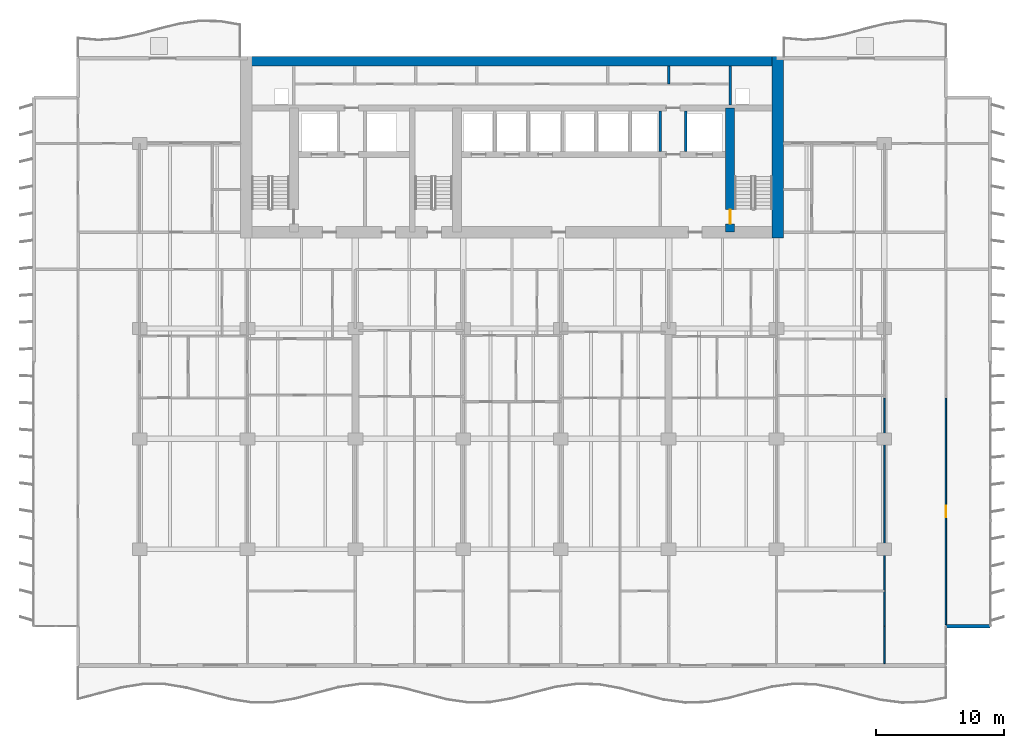
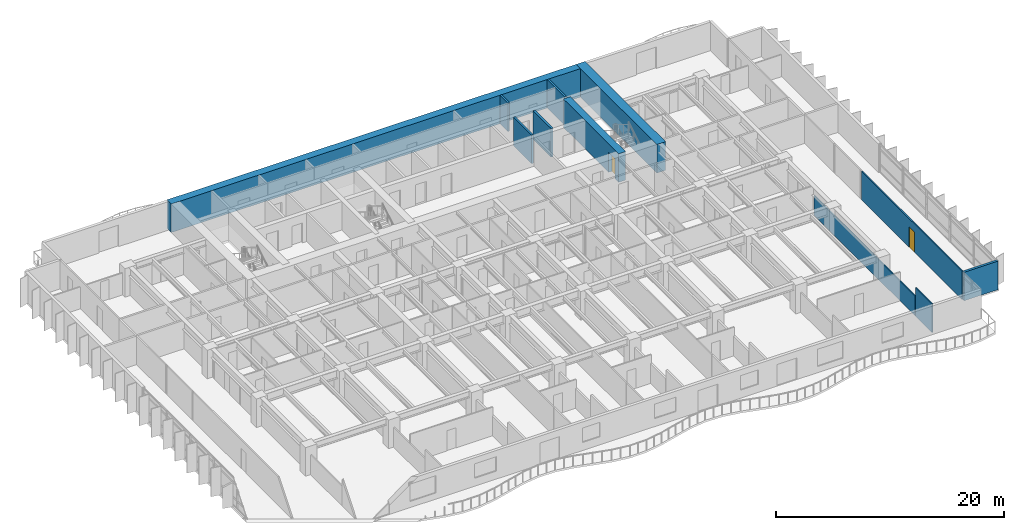
# One storey, part 12 of 18: 11 walls, 2 doors, 2 openings.
"""IFC4 building model written with IfcOpenShell, lengths in metres."""

from ifc_helpers import new_model, si_unit, direction, frame, frame_2d, origin, place, context, subcontext, project, spatial, rectangle, extrude, material, layer, layer_set, type_object, element, fill, save


model = new_model("IFC4")

# Units and contexts
model_context = context("Model", 3, precision=1e-05, world=origin(), true_north=direction((0.0, 1.0)))
body_context = subcontext(model_context, "Body", "Model", "MODEL_VIEW")
ifc_project = project(units=[si_unit("LENGTHUNIT", "METRE"), si_unit("AREAUNIT", "SQUARE_METRE"), si_unit("VOLUMEUNIT", "CUBIC_METRE"), si_unit("PLANEANGLEUNIT", "RADIAN"), si_unit("MASSUNIT", "GRAM", prefix="KILO")], contexts=[model_context])

# Site, building, storey
site_placement = place(None, origin())
site = spatial("IfcSite", under=ifc_project, at=site_placement, CompositionType="ELEMENT")
building_placement = place(site_placement, origin())
building = spatial("IfcBuilding", under=site, at=building_placement, Name="Caelmar Bay Residences", CompositionType="ELEMENT")
storey_placement = place(building_placement, frame((0.0, 0.0, 43.199951171875)))
storey = spatial("IfcBuildingStorey", under=building, at=storey_placement, Name="L10", CompositionType="ELEMENT", Elevation=43.199951171875)

# Wall, opening, door
ifc_material_1 = material(Name="Concrete f'c 55 MPa (8,000 psi)", Category="concrete")
ifc_layer_1 = layer(ifc_material_1, 0.699951171875)
ifc_layer_set_1 = layer_set([ifc_layer_1], Name="Concrete f'c 55 MPa (8,000 psi)")
wall_type_1 = type_object("IfcWallType", Name="SW-COR-700", PredefinedType="SHEAR", material=ifc_layer_set_1)
wall_1_placement = place(storey_placement, frame((55.89990234375, 36.89990234375, 0.0), z_axis=(0.0, 0.0, 1.0), x_axis=(0.0, 1.0, 0.0)))
wall_1 = element("IfcWall", 1, at=wall_1_placement, inside=storey, type_object=wall_type_1, Name="L10 Core Structural Web Wall ST2W", PredefinedType="SHEAR", context=body_context, shape_type="SweptSolid", body=[
    extrude(rectangle(XDim=9.675048828125, YDim=0.699951171875, at=frame_2d((4.83740234375, 0.0))), origin(), (0.0, 0.0, 1.0), 3.050048828125),
])
opening_1_placement = place(wall_1_placement, frame((0.64990234375, 0.0, 0.0)))
opening_1 = element("IfcOpeningElement", 2, at=opening_1_placement, cuts=wall_1, Name="Opening D-L10-111", PredefinedType="OPENING", context=body_context, shape_type="SweptSolid", body=[
    extrude(rectangle(XDim=1.10009765625, YDim=2.14990234375, at=frame_2d((0.550048828125, 1.074951171875))), frame((0.0, 0.35986328125, 0.0), z_axis=(0.0, -1.0, 0.0), x_axis=(1.0, 0.0, 0.0)), (0.0, 0.0, 1.0), 0.719970703125),
])
ifc_material_2 = material(Name="Fire-rated steel and walnut architectural door assembly", Category="steel")
ifc_layer_2 = layer(ifc_material_2, 0.050048828125)
ifc_layer_set_2 = layer_set([ifc_layer_2], Name="Fire-rated steel and walnut architectural door assembly")
door_type_1 = type_object("IfcDoorType", Name="D-STAIR-1100", OperationType="NOTDEFINED", PredefinedType="DOOR", material=ifc_layer_set_2)
door_1_placement = place(opening_1_placement, origin())
door_1 = element("IfcDoor", 3, at=door_1_placement, inside=storey, type_object=door_type_1, Name="L10 Firefighting Lobby East Door", OperationType="SINGLE_SWING_RIGHT", OverallHeight=2.14990234375, OverallWidth=1.10009765625, PredefinedType="DOOR", context=body_context, shape_type="SweptSolid", body=[
    extrude(rectangle(XDim=1.10009765625, YDim=2.14990234375, at=frame_2d((0.550048828125, 1.074951171875))), frame((0.0, 0.02490234375, 0.0), z_axis=(0.0, -1.0, 0.0), x_axis=(1.0, 0.0, 0.0)), (0.0, 0.0, 1.0), 0.050048828125),
])
fill(opening_1, door_1)

# Walls
ifc_material_3 = material(Name="Concrete f'c 70 MPa (10,000 psi)", Category="concrete")
ifc_layer_3 = layer(ifc_material_3, 0.89990234375)
ifc_layer_set_3 = layer_set([ifc_layer_3], Name="Concrete f'c 70 MPa (10,000 psi)")
wall_type_2 = type_object("IfcWallType", Name="SW-COR-900", PredefinedType="SHEAR", material=ifc_layer_set_3)
wall_2_placement = place(storey_placement, frame((59.60009765625, 36.449951171875, 0.0), z_axis=(0.0, 0.0, 1.0), x_axis=(0.0, 1.0, 0.0)))
element("IfcWall", 4, at=wall_2_placement, inside=storey, type_object=wall_type_2, Name="L10 Rear Core East Shear Wall", PredefinedType="SHEAR", context=body_context, shape_type="SweptSolid", body=[
    extrude(rectangle(XDim=14.150146484375, YDim=0.89990234375, at=frame_2d((7.0751953125, 0.0))), origin(), (0.0, 0.0, 1.0), 3.050048828125),
])
ifc_layer_4 = layer(ifc_material_3, 0.75)
ifc_layer_set_4 = layer_set([ifc_layer_4], Name="Concrete f'c 70 MPa (10,000 psi)")
wall_type_3 = type_object("IfcWallType", Name="SW-CORN-750", PredefinedType="SHEAR", material=ifc_layer_set_4)
wall_3_placement = place(storey_placement, frame((17.75, 50.22509765625, 0.0), z_axis=(0.0, 0.0, 1.0), x_axis=(1.0, 0.0, 0.0)))
element("IfcWall", 5, at=wall_3_placement, inside=storey, type_object=wall_type_3, Name="L10 Rear Core North Shear Wall", PredefinedType="SHEAR", context=body_context, shape_type="SweptSolid", body=[
    extrude(rectangle(XDim=42.300048828125, YDim=0.75, at=frame_2d((21.14990234375, 0.0))), origin(), (0.0, 0.0, 1.0), 3.050048828125),
])
ifc_material_4 = material(Name="Double-stud acoustic fire-rated gypsum partition 180 mm")
ifc_layer_5 = layer(ifc_material_4, 0.179931640625)
ifc_layer_set_5 = layer_set([ifc_layer_5], Name="Double-stud acoustic fire-rated gypsum partition 180 mm")
wall_type_4 = type_object("IfcWallType", Name="W-COR-200", PredefinedType="PARTITIONING", material=ifc_layer_set_5)
wall_4_placement = place(storey_placement, frame((51.10009765625, 48.449951171875, 0.0), z_axis=(0.0, 0.0, 1.0), x_axis=(0.0, 1.0, 0.0)))
element("IfcWall", 6, at=wall_4_placement, inside=storey, type_object=wall_type_4, Name="L10 Partition Wall V083", PredefinedType="PARTITIONING", context=body_context, shape_type="SweptSolid", body=[
    extrude(rectangle(XDim=1.405029296875, YDim=0.179931640625, at=frame_2d((0.70263671875, 0.0))), origin(), (0.0, 0.0, 1.0), 3.050048828125),
])
ifc_material_5 = material(Name="Precast concrete f'c 40 MPa (6,000 psi)", Category="concrete")
ifc_layer_6 = layer(ifc_material_5, 0.25)
ifc_layer_set_6 = layer_set([ifc_layer_6], Name="Precast concrete f'c 40 MPa (6,000 psi)")
wall_type_5 = type_object("IfcWallType", Name="W-EXT-250", PredefinedType="ELEMENTEDWALL", material=ifc_layer_set_6)
wall_5_placement = place(storey_placement, frame((72.699951171875, 6.199951171875, 0.0), z_axis=(0.0, 0.0, 1.0), x_axis=(1.0, 0.0, 0.0)))
element("IfcWall", 7, at=wall_5_placement, inside=storey, type_object=wall_type_5, Name="L10 SE Notch Return Wall", PredefinedType="ELEMENTEDWALL", context=body_context, shape_type="SweptSolid", body=[
    extrude(rectangle(XDim=3.449951171875, YDim=0.25, at=frame_2d((1.72509765625, 0.0))), origin(), (0.0, 0.0, 1.0), 3.050048828125),
])
ifc_material_6 = material(Name="Fire-rated masonry and gypsum shaftliner assembly 200 mm", Category="masonry")
ifc_layer_7 = layer(ifc_material_6, 0.199951171875)
ifc_layer_set_7 = layer_set([ifc_layer_7], Name="Fire-rated masonry and gypsum shaftliner assembly 200 mm")
wall_type_6 = type_object("IfcWallType", Name="W-FSAE-200", PredefinedType="PARTITIONING", material=ifc_layer_set_7)
for number, where, z_axis, x_axis, name in (
    (8, (50.449951171875, 43.169921875, 0.0), (0.0, 0.0, 1.0), (0.0, 1.0, 0.0), "L10 Partition Wall V079"),
    (9, (52.449951171875, 43.169921875, 0.0), (0.0, 0.0, 1.0), (0.0, 1.0, 0.0), "L10 Partition Wall V084"),
):
    element("IfcWall", number, at=place(storey_placement, frame(where, z_axis=z_axis, x_axis=x_axis)), inside=storey, type_object=wall_type_6, Name=name, PredefinedType="PARTITIONING", context=body_context, shape_type="SweptSolid", body=[
        extrude(rectangle(XDim=3.18505859375, YDim=0.199951171875, at=frame_2d((1.592529296875, 0.0))), origin(), (0.0, 0.0, 1.0), 3.050048828125),
    ])
wall_6_placement = place(storey_placement, frame((55.89990234375, 46.794921875, 0.0), z_axis=(0.0, 0.0, 1.0), x_axis=(0.0, 1.0, 0.0)))
element("IfcWall", 10, at=wall_6_placement, inside=storey, type_object=wall_type_6, Name="L10 Partition Wall V088", PredefinedType="PARTITIONING", context=body_context, shape_type="SweptSolid", body=[
    extrude(rectangle(XDim=3.06005859375, YDim=0.199951171875, at=frame_2d((1.530029296875, 0.0))), origin(), (0.0, 0.0, 1.0), 3.050048828125),
])
ifc_material_7 = material(Name="Acoustic metal-stud gypsum partition 120 mm")
ifc_layer_8 = layer(ifc_material_7, 0.1201171875)
ifc_layer_set_8 = layer_set([ifc_layer_8], Name="Acoustic metal-stud gypsum partition 120 mm")
wall_type_7 = type_object("IfcWallType", Name="W-PRT-120", PredefinedType="PARTITIONING", material=ifc_layer_set_8)
wall_7_placement = place(storey_placement, frame((67.89990234375, 3.294921875, 0.0), z_axis=(0.0, 0.0, 1.0), x_axis=(0.0, 1.0, 0.0)))
element("IfcWall", 11, at=wall_7_placement, inside=storey, type_object=wall_type_7, Name="L10 Partition Wall V099", PredefinedType="PARTITIONING", context=body_context, shape_type="SweptSolid", body=[
    extrude(rectangle(XDim=2.905029296875, YDim=0.1201171875, at=frame_2d((1.45263671875, 0.0))), origin(), (0.0, 0.0, 1.0), 3.050048828125),
])
wall_8_placement = place(storey_placement, frame((67.89990234375, 6.239990234375, 0.0), z_axis=(0.0, 0.0, 1.0), x_axis=(0.0, 1.0, 0.0)))
element("IfcWall", 12, at=wall_8_placement, inside=storey, type_object=wall_type_7, Name="L10 Partition Wall V100", PredefinedType="PARTITIONING", context=body_context, shape_type="SweptSolid", body=[
    extrude(rectangle(XDim=17.72998046875, YDim=0.1201171875, at=frame_2d((8.864990234375, 0.0))), origin(), (0.0, 0.0, 1.0), 2.110107421875),
])

# Wall, opening, door
wall_9_placement = place(storey_placement, frame((72.699951171875, 6.320068359375, 0.0), z_axis=(0.0, 0.0, 1.0), x_axis=(0.0, 1.0, 0.0)))
wall_9 = element("IfcWall", 13, at=wall_9_placement, inside=storey, type_object=wall_type_7, Name="L10 Partition Wall V106", PredefinedType="PARTITIONING", context=body_context, shape_type="SweptSolid", body=[
    extrude(rectangle(XDim=17.64990234375, YDim=0.1201171875, at=frame_2d((8.824951171875, 0.0))), origin(), (0.0, 0.0, 1.0), 3.050048828125),
])
opening_2_placement = place(wall_9_placement, frame((8.375, 0.0, 0.0)))
opening_2 = element("IfcOpeningElement", 14, at=opening_2_placement, cuts=wall_9, Name="Opening D-L10-167", PredefinedType="OPENING", context=body_context, shape_type="SweptSolid", body=[
    extrude(rectangle(XDim=0.89990234375, YDim=2.14990234375, at=frame_2d((0.449951171875, 1.074951171875))), frame((0.0, 0.070068359375, 0.0), z_axis=(0.0, -1.0, 0.0), x_axis=(1.0, 0.0, 0.0)), (0.0, 0.0, 1.0), 0.14013671875),
])
ifc_material_8 = material(Name="Solid walnut timber interior door leaf and frame", Category="wood")
ifc_layer_9 = layer(ifc_material_8, 0.050048828125)
ifc_layer_set_9 = layer_set([ifc_layer_9], Name="Solid walnut timber interior door leaf and frame")
door_type_2 = type_object("IfcDoorType", Name="D-ROOM-900", OperationType="NOTDEFINED", PredefinedType="DOOR", material=ifc_layer_set_9)
door_2_placement = place(opening_2_placement, origin())
door_2 = element("IfcDoor", 15, at=door_2_placement, inside=storey, type_object=door_type_2, Name="L10 Residence 05 Penthouse East Salon Door", OperationType="SINGLE_SWING_RIGHT", OverallHeight=2.14990234375, OverallWidth=0.89990234375, PredefinedType="DOOR", context=body_context, shape_type="SweptSolid", body=[
    extrude(rectangle(XDim=0.89990234375, YDim=2.14990234375, at=frame_2d((0.449951171875, 1.074951171875))), frame((0.0, 0.02490234375, 0.0), z_axis=(0.0, -1.0, 0.0), x_axis=(1.0, 0.0, 0.0)), (0.0, 0.0, 1.0), 0.050048828125),
])
fill(opening_2, door_2)

save(model, "model.ifc")
